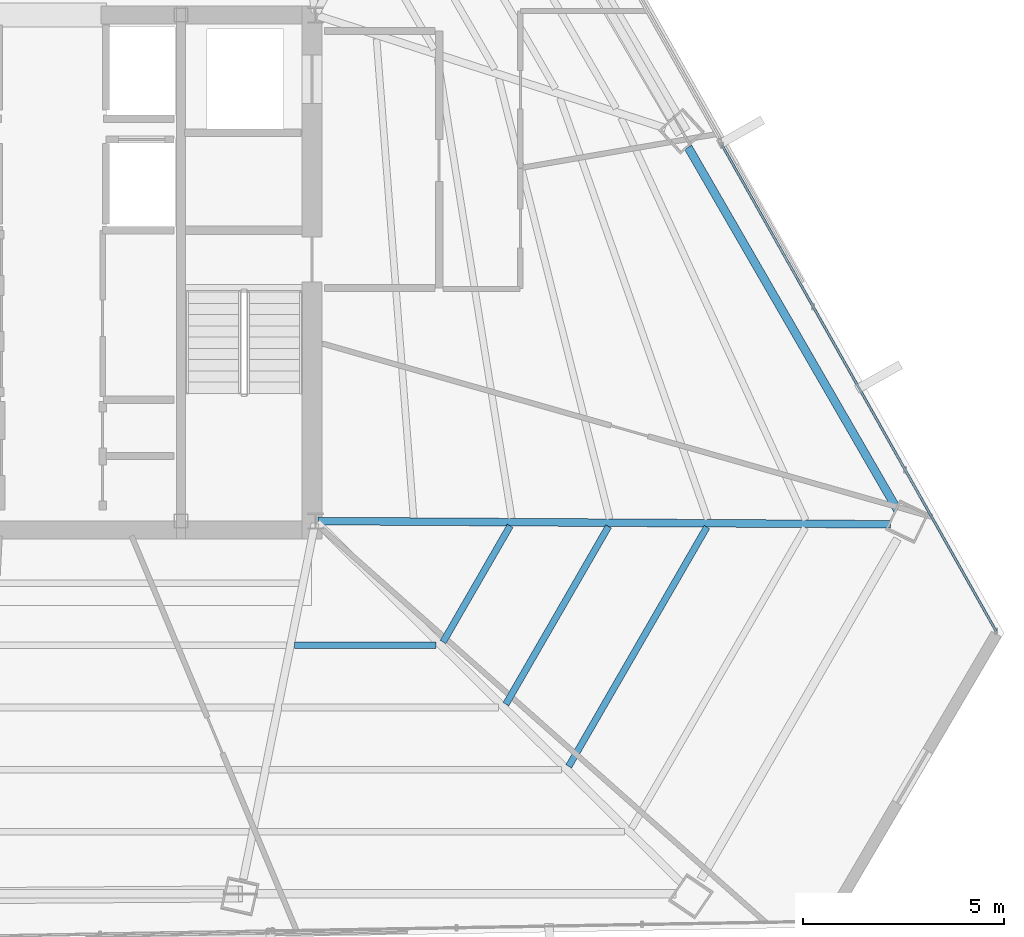
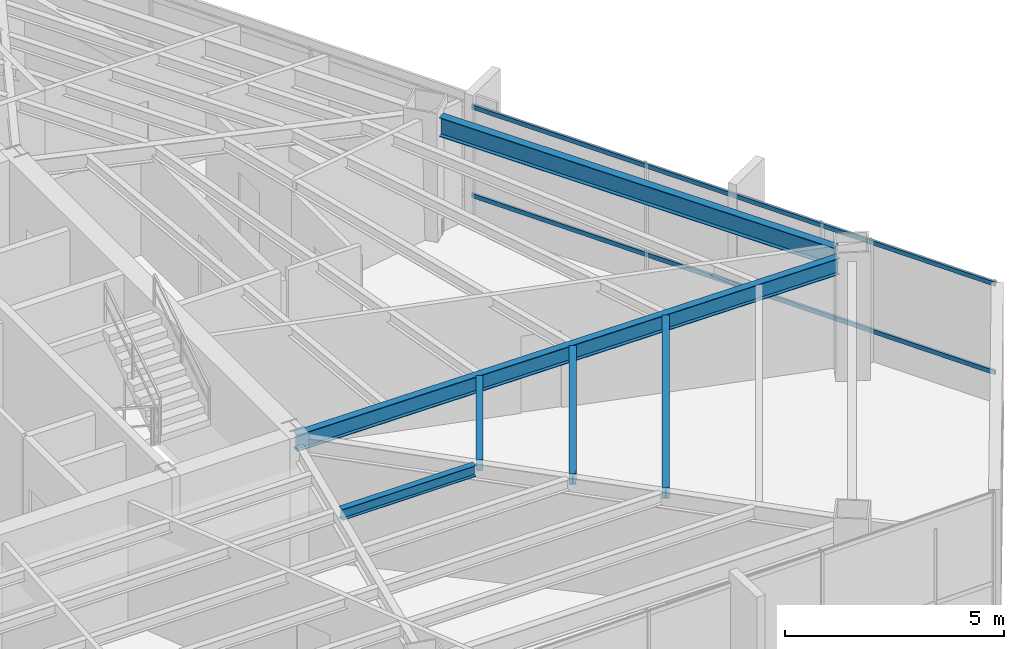
# One storey, part 21 of 42: 6 beams, 2 members, 1 element without a shape of its own.
"""IFC4 building model written with IfcOpenShell, lengths in metres."""

from ifc_helpers import new_model, si_unit, direction, frame, origin, origin_2d, place, context, subcontext, project, spatial, hollow_rectangle, i_section, extrude, source, transform, mapped, material, material_profile, profile_set, type_object, type_shapes, element, aggregate, save


model = new_model("IFC4")

# Units and contexts
model_context = context("Model", 3, precision=1e-05, world=origin(), true_north=direction((0.0, 1.0)))
body_context = subcontext(model_context, "Body", "Model", "MODEL_VIEW")
ifc_project = project(units=[si_unit("LENGTHUNIT", "METRE"), si_unit("AREAUNIT", "SQUARE_METRE"), si_unit("VOLUMEUNIT", "CUBIC_METRE"), si_unit("PLANEANGLEUNIT", "RADIAN"), si_unit("MASSUNIT", "GRAM", prefix="KILO")], contexts=[model_context])

# Site, building, storey
site_placement = place(None, origin())
site = spatial("IfcSite", under=ifc_project, at=site_placement, CompositionType="ELEMENT")
building_placement = place(site_placement, origin())
building = spatial("IfcBuilding", under=site, at=building_placement, Name="Caelisora Broadcast Tower", CompositionType="ELEMENT")
storey_placement = place(building_placement, frame((0.0, 0.0, 191.35009765625)))
storey = spatial("IfcBuildingStorey", under=building, at=storey_placement, Name="L50", CompositionType="ELEMENT", Elevation=191.35009765625)

# Beams
ifc_material_1 = material(Name="Steel Grade 350 (AS/NZS 3679.1)", Category="steel")
ifc_material_profile_1 = material_profile(ifc_material_1, i_section(OverallWidth=0.208984375, OverallDepth=0.532958984375, WebThickness=0.01025390625, FlangeThickness=0.015625, at=origin_2d()), Name="Steel Grade 350 (AS/NZS 3679.1)")
ifc_profile_set_1 = profile_set([ifc_material_profile_1], Name="Steel Grade 350 (AS/NZS 3679.1)")
beam_type_1 = type_object("IfcBeamType", Name="PG05", PredefinedType="BEAM", material=ifc_profile_set_1)
shared_shape_1 = source(origin(), body_context, "Body", "SweptSolid", [
    extrude(i_section(OverallWidth=0.208984375, OverallDepth=0.532958984375, WebThickness=0.01025390625, FlangeThickness=0.015625, at=origin_2d()), origin(), (0.0, 0.0, 1.0), 10.426025390625),
])
type_shapes(beam_type_1, [shared_shape_1])
beam_1_placement = place(storey_placement, frame((59.99169921875, 17.677978515625, 3.13330078125), z_axis=(-0.500015015735, 0.866016734272, 0.0), x_axis=(-0.866016734272, -0.500015015735, 0.0)))
element("IfcBeam", 1, at=beam_1_placement, inside=storey, type_object=beam_type_1, Name="L50 beam PG05", PredefinedType="BEAM", context=body_context, shape_type="MappedRepresentation", body=[
    mapped(shared_shape_1, transform((0.0, 0.0, 0.0), scale=1.0)),
])
ifc_material_profile_2 = material_profile(ifc_material_1, i_section(OverallWidth=0.19091796875, OverallDepth=0.46044921875, WebThickness=0.010009765625, FlangeThickness=0.01611328125, at=origin_2d()), Name="Steel Grade 350 (AS/NZS 3679.1)")
ifc_profile_set_2 = profile_set([ifc_material_profile_2], Name="Steel Grade 350 (AS/NZS 3679.1)")
beam_type_2 = type_object("IfcBeamType", Name="PG06", PredefinedType="BEAM", material=ifc_profile_set_2)
shared_shape_2 = source(origin(), body_context, "Body", "SweptSolid", [
    extrude(i_section(OverallWidth=0.19091796875, OverallDepth=0.46044921875, WebThickness=0.010009765625, FlangeThickness=0.01611328125, at=origin_2d()), origin(), (0.0, 0.0, 1.0), 14.263671875),
])
type_shapes(beam_type_2, [shared_shape_2])
beam_2_placement = place(storey_placement, frame((45.56005859375, 17.399658203125, 3.169677734375), z_axis=(0.999984240599, -0.005614138797, 0.0), x_axis=(0.005614138797, 0.999984240599, 0.0)))
element("IfcBeam", 2, at=beam_2_placement, inside=storey, type_object=beam_type_2, Name="L50 beam PG06", PredefinedType="BEAM", context=body_context, shape_type="MappedRepresentation", body=[
    mapped(shared_shape_2, transform((0.0, 0.0, 0.0), scale=1.0)),
])
ifc_material_profile_3 = material_profile(ifc_material_1, i_section(OverallWidth=0.166015625, OverallDepth=0.30712890625, WebThickness=0.006591796875, FlangeThickness=0.01171875, at=origin_2d()), Name="Steel Grade 350 (AS/NZS 3679.1)")
ifc_profile_set_3 = profile_set([ifc_material_profile_3], Name="Steel Grade 350 (AS/NZS 3679.1)")
beam_type_3 = type_object("IfcBeamType", Name="SB03", PredefinedType="JOIST", material=ifc_profile_set_3)
shared_shape_3 = source(origin(), body_context, "Body", "SweptSolid", [
    extrude(i_section(OverallWidth=0.166015625, OverallDepth=0.30712890625, WebThickness=0.006591796875, FlangeThickness=0.01171875, at=origin_2d()), origin(), (0.0, 0.0, 1.0), 3.33935546875),
])
beam_3_placement = place(storey_placement, frame((48.6767578125, 14.38818359375, 3.246337890625), z_axis=(0.500015685897, 0.866016347338, 0.0), x_axis=(-0.866016347338, 0.500015685897, 0.0)))
element("IfcBeam", 3, at=beam_3_placement, inside=storey, type_object=beam_type_3, Name="L50 beam SB03", PredefinedType="JOIST", context=body_context, shape_type="MappedRepresentation", body=[
    mapped(shared_shape_3, transform((0.0, 0.0, 0.0), scale=1.0)),
])
shared_shape_4 = source(origin(), body_context, "Body", "SweptSolid", [
    extrude(i_section(OverallWidth=0.166015625, OverallDepth=0.30712890625, WebThickness=0.006591796875, FlangeThickness=0.01171875, at=origin_2d()), origin(), (0.0, 0.0, 1.0), 5.110107421875),
])
beam_4_placement = place(storey_placement, frame((50.2412109375, 12.8408203125, 3.246337890625), z_axis=(0.50003400563, 0.866005769735, 0.0), x_axis=(-0.866005769735, 0.50003400563, 0.0)))
element("IfcBeam", 4, at=beam_4_placement, inside=storey, type_object=beam_type_3, Name="L50 beam SB03", PredefinedType="JOIST", context=body_context, shape_type="MappedRepresentation", body=[
    mapped(shared_shape_4, transform((0.0, 0.0, 0.0), scale=1.0)),
])
shared_shape_5 = source(origin(), body_context, "Body", "SweptSolid", [
    extrude(i_section(OverallWidth=0.166015625, OverallDepth=0.30712890625, WebThickness=0.006591796875, FlangeThickness=0.01171875, at=origin_2d()), origin(), (0.0, 0.0, 1.0), 6.880859375),
])
beam_5_placement = place(storey_placement, frame((51.805908203125, 11.29345703125, 3.246337890625), z_axis=(0.500000921525, 0.866024871741, 0.0), x_axis=(-0.866024871741, 0.500000921525, 0.0)))
element("IfcBeam", 5, at=beam_5_placement, inside=storey, type_object=beam_type_3, Name="L50 beam SB03", PredefinedType="JOIST", context=body_context, shape_type="MappedRepresentation", body=[
    mapped(shared_shape_5, transform((0.0, 0.0, 0.0), scale=1.0)),
])
shared_shape_6 = source(origin(), body_context, "Body", "SweptSolid", [
    extrude(i_section(OverallWidth=0.166015625, OverallDepth=0.30712890625, WebThickness=0.006591796875, FlangeThickness=0.01171875, at=origin_2d()), origin(), (0.0, 0.0, 1.0), 3.525390625),
])
type_shapes(beam_type_3, [shared_shape_3, shared_shape_4, shared_shape_5, shared_shape_6])
beam_6_placement = place(storey_placement, frame((44.970703125, 14.305419921875, 3.246337890625), z_axis=(1.0, 0.0, 0.0), x_axis=(0.0, 1.0, 0.0)))
element("IfcBeam", 6, at=beam_6_placement, inside=storey, type_object=beam_type_3, Name="L50 beam SB03", PredefinedType="JOIST", context=body_context, shape_type="MappedRepresentation", body=[
    mapped(shared_shape_6, transform((0.0, 0.0, 0.0), scale=1.0)),
])

# Curtain wall, members
ifc_material_2 = material(Name="Unitised Aluminium and Low-E Glass Curtain Wall", Category="glass")
curtain_wall_type = type_object("IfcCurtainWallType", Name="CW-Z4", PredefinedType="NOTDEFINED", material=ifc_material_2)
curtain_wall_placement = place(storey_placement, origin())
curtain_wall = element("IfcCurtainWall", 7, at=curtain_wall_placement, inside=storey, type_object=curtain_wall_type, Name="L50 curtain wall CW-Z4", PredefinedType="NOTDEFINED")
ifc_material_3 = material(Name="Aluminium 6063-T6 Anodised Terracotta Bronze", Category="aluminium")
ifc_material_profile_4 = material_profile(ifc_material_3, hollow_rectangle(XDim=0.06005859375, YDim=0.1201171875, WallThickness=0.0029296875, at=origin_2d()), Name="Aluminium 6063-T6 Anodised Terracotta Bronze")
ifc_profile_set_4 = profile_set([ifc_material_profile_4], Name="Aluminium 6063-T6 Anodised Terracotta Bronze")
member_type = type_object("IfcMemberType", Name="CWT-03", PredefinedType="USERDEFINED", material=ifc_profile_set_4)
shared_shape_7 = source(origin(), body_context, "Body", "SweptSolid", [
    extrude(hollow_rectangle(XDim=0.06005859375, YDim=0.1201171875, WallThickness=0.0029296875, at=origin_2d()), origin(), (0.0, 0.0, 1.0), 13.888916015625),
])
type_shapes(member_type, [shared_shape_7])
member_1_placement = place(storey_placement, frame((55.626220703125, 26.7578125, 0.849853515625), z_axis=(0.49104386661, -0.87113484666, 0.0), x_axis=(0.87113484666, 0.49104386661, 0.0)))
member_1 = element("IfcMember", 8, at=member_1_placement, type_object=member_type, Name="L50-CW-B03 transom #1", ObjectType="TRANSOM", PredefinedType="USERDEFINED", context=body_context, shape_type="MappedRepresentation", body=[
    mapped(shared_shape_7, transform((0.0, 0.0, 0.0), scale=1.0)),
])
member_2_placement = place(storey_placement, frame((55.626220703125, 26.7578125, 3.31982421875), z_axis=(0.49104386661, -0.87113484666, 0.0), x_axis=(0.87113484666, 0.49104386661, 0.0)))
member_2 = element("IfcMember", 9, at=member_2_placement, type_object=member_type, Name="L50-CW-B03 transom #2", ObjectType="TRANSOM", PredefinedType="USERDEFINED", context=body_context, shape_type="MappedRepresentation", body=[
    mapped(shared_shape_7, transform((0.0, 0.0, 0.0), scale=1.0)),
])
aggregate(curtain_wall, [member_1, member_2])

save(model, "model.ifc")
